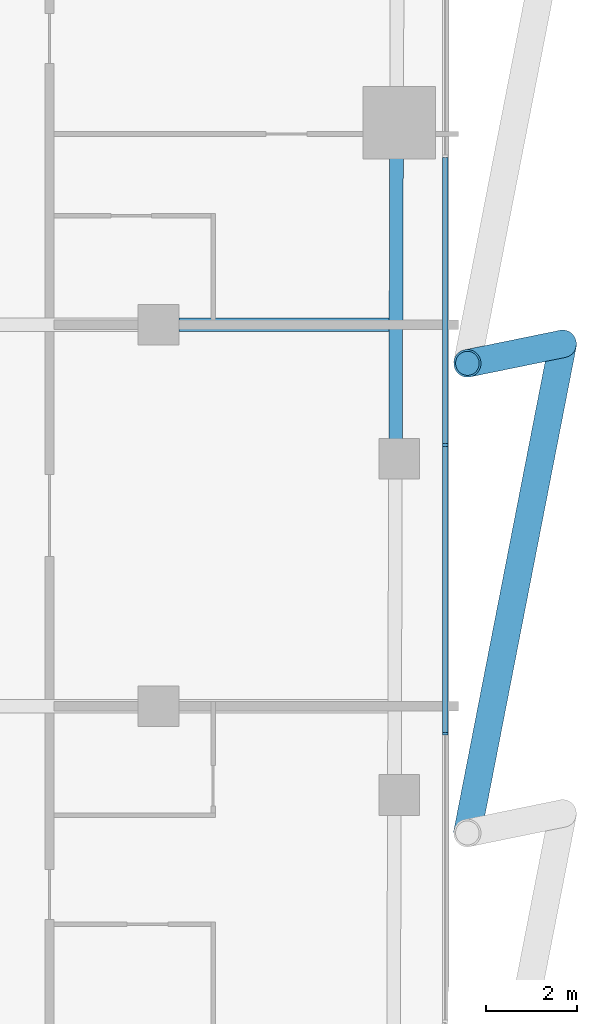
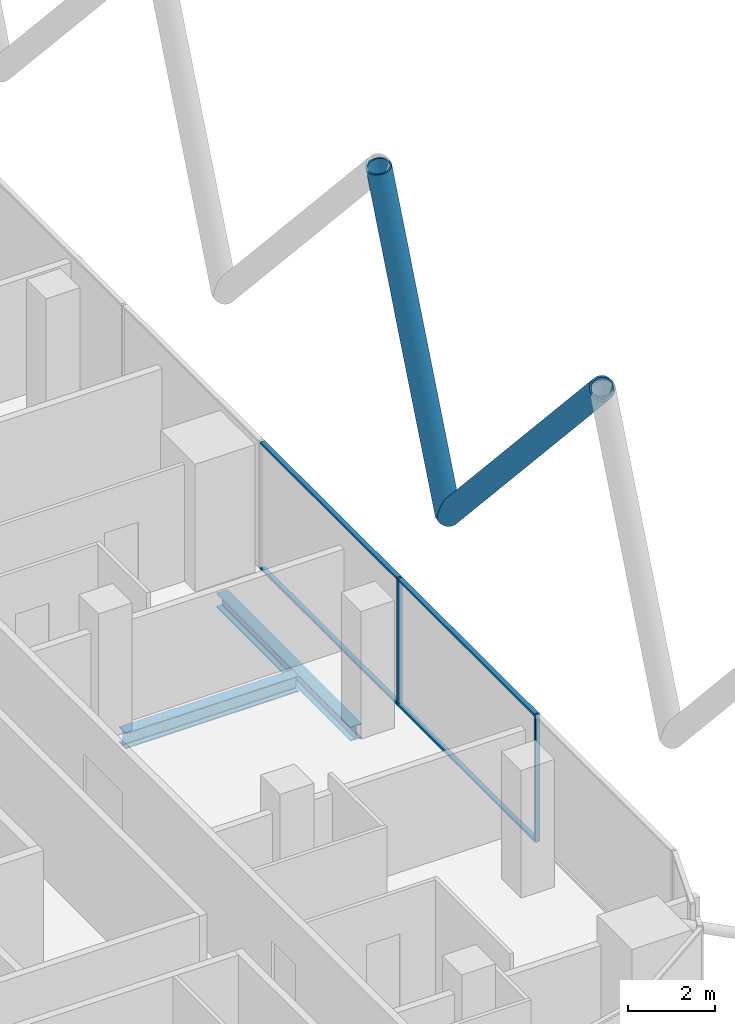
# One storey, part 9 of 34: 8 members, 2 beams, 1 element without a shape of its own.
"""IFC4 building model written with IfcOpenShell, lengths in metres."""

from ifc_helpers import new_model, si_unit, direction, frame, origin, origin_2d, place, context, subcontext, project, spatial, rectangle, hollow_circle, i_section, extrude, material, layer, layer_set, material_profile, profile_set, type_object, element, aggregate, save


model = new_model("IFC4")

# Units and contexts
model_context = context("Model", 3, precision=1e-05, world=origin(), true_north=direction((0.0, 1.0)))
body_context = subcontext(model_context, "Body", "Model", "MODEL_VIEW")
ifc_project = project(units=[si_unit("LENGTHUNIT", "METRE"), si_unit("AREAUNIT", "SQUARE_METRE"), si_unit("VOLUMEUNIT", "CUBIC_METRE"), si_unit("PLANEANGLEUNIT", "RADIAN"), si_unit("MASSUNIT", "GRAM", prefix="KILO")], contexts=[model_context])

# Site, building, storey
site_placement = place(None, origin())
site = spatial("IfcSite", under=ifc_project, at=site_placement, CompositionType="ELEMENT")
building_placement = place(site_placement, origin())
building = spatial("IfcBuilding", under=site, at=building_placement, Name="Marenta Gate Hotel Tower", CompositionType="ELEMENT")
storey_placement = place(building_placement, frame((0.0, 0.0, 166.10009765625)))
storey = spatial("IfcBuildingStorey", under=building, at=storey_placement, Name="L39", CompositionType="ELEMENT", Elevation=166.10009765625)

# Members
ifc_material_1 = material(Name="Steel S355J2W", Category="steel")
ifc_material_profile_1 = material_profile(ifc_material_1, hollow_circle(Radius=0.304931640625, WallThickness=0.0400390625, at=origin_2d()), Name="CHS 610x40")
ifc_profile_set_1 = profile_set([ifc_material_profile_1], Name="Steel S355J2W")
member_type_1 = type_object("IfcMemberType", Name="Diagrid diagonal T2 CHS 610x40", PredefinedType="BRACE", material=ifc_profile_set_1)
member_1_placement = place(storey_placement, frame((29.89990234375, -0.420166015625, 3.139892578125), z_axis=(-0.19071044896, -0.03904675045, 0.980869448977), x_axis=(0.200582587895, -0.979676796415, 0.0)))
element("IfcMember", 1, at=member_1_placement, inside=storey, type_object=member_type_1, Name="L39-DG-6", PredefinedType="BRACE", context=body_context, shape_type="SweptSolid", body=[
    extrude(hollow_circle(Radius=0.304931640625, WallThickness=0.0400390625, at=origin_2d()), origin(), (0.0, 0.0, 1.0), 11.0107421875),
])
member_2_placement = place(storey_placement, frame((29.89990234375, -0.420166015625, 3.139892578125), z_axis=(-0.136387552473, -0.699523368187, 0.701473800573), x_axis=(0.981518224839, -0.191368686853, 0.0)))
element("IfcMember", 2, at=member_2_placement, inside=storey, type_object=member_type_1, Name="L39-DG-7", PredefinedType="BRACE", context=body_context, shape_type="SweptSolid", body=[
    extrude(hollow_circle(Radius=0.304931640625, WallThickness=0.0400390625, at=origin_2d()), origin(), (0.0, 0.0, 1.0), 15.396240234375),
])

# Beams
ifc_material_2 = material(Name="Steel S355", Category="steel")
ifc_material_profile_2 = material_profile(ifc_material_2, i_section(OverallWidth=0.300048828125, OverallDepth=0.39990234375, WebThickness=0.013427734375, FlangeThickness=0.02392578125, FilletRadius=0.027099609375, at=origin_2d()), Name="HEB 400")
ifc_profile_set_2 = profile_set([ifc_material_profile_2], Name="Steel S355")
beam_type_1 = type_object("IfcBeamType", Name="Edge beam HEB 400", PredefinedType="SPANDREL", material=ifc_profile_set_2)
beam_1_placement = place(storey_placement, frame((26.2392578125, 3.68994140625, -0.460205078125), z_axis=(-0.003330441525, -0.999994454064, 0.0), x_axis=(0.999994454064, -0.003330441525, 0.0)))
element("IfcBeam", 3, at=beam_1_placement, inside=storey, type_object=beam_type_1, Name="L39-EB-25", PredefinedType="SPANDREL", context=body_context, shape_type="SweptSolid", body=[
    extrude(i_section(OverallWidth=0.300048828125, OverallDepth=0.39990234375, WebThickness=0.013427734375, FlangeThickness=0.02392578125, FilletRadius=0.027099609375, at=origin_2d()), origin(), (0.0, 0.0, 1.0), 6.23095703125),
])
ifc_material_3 = material(Name="Steel S355", Category="steel")
ifc_material_profile_3 = material_profile(ifc_material_3, i_section(OverallWidth=0.300048828125, OverallDepth=0.449951171875, WebThickness=0.013916015625, FlangeThickness=0.02587890625, FilletRadius=0.027099609375, at=origin_2d()), Name="HEB 450")
ifc_profile_set_3 = profile_set([ifc_material_profile_3], Name="Steel S355")
beam_type_2 = type_object("IfcBeamType", Name="Girder HEB 450", PredefinedType="BEAM", material=ifc_profile_set_3)
beam_2_placement = place(storey_placement, frame((21.449951171875, 0.0, -0.485107421875), z_axis=(1.0, 0.0, 0.0), x_axis=(0.0, 1.0, 0.0)))
element("IfcBeam", 4, at=beam_2_placement, inside=storey, type_object=beam_type_2, Name="L39-GD-19", PredefinedType="BEAM", context=body_context, shape_type="SweptSolid", body=[
    extrude(i_section(OverallWidth=0.300048828125, OverallDepth=0.449951171875, WebThickness=0.013916015625, FlangeThickness=0.02587890625, FilletRadius=0.027099609375, at=origin_2d()), origin(), (0.0, 0.0, 1.0), 4.626953125),
])

# Curtain wall, members
ifc_material_4 = material(Name="Tinted insulated glass in bronze anodised frame", Category="glass")
ifc_layer = layer(ifc_material_4, 0.1201171875)
ifc_layer_set = layer_set([ifc_layer], Name="Tinted insulated glass in bronze anodised frame")
curtain_wall_type = type_object("IfcCurtainWallType", Name="Tower unitised curtain wall CW1", PredefinedType="NOTDEFINED", material=ifc_layer_set)
curtain_wall_placement = place(storey_placement, origin())
curtain_wall = element("IfcCurtainWall", 5, at=curtain_wall_placement, inside=storey, type_object=curtain_wall_type, Name="CW1 run G19", PredefinedType="NOTDEFINED")
ifc_material_5 = material(Name="Bronze anodised aluminium", Category="aluminium")
ifc_material_profile_4 = material_profile(ifc_material_5, rectangle(XDim=0.1201171875, YDim=0.06005859375, at=origin_2d()), Name="Mullion CW1 60x120 bronze anodised aluminium")
ifc_profile_set_4 = profile_set([ifc_material_profile_4], Name="Bronze anodised aluminium")
member_type_2 = type_object("IfcMemberType", Name="Mullion CW1 60x120 bronze anodised aluminium", PredefinedType="MULLION", material=ifc_profile_set_4)
member_3_placement = place(storey_placement, frame((27.31396484375, -9.008056640625, 0.0), z_axis=(0.0, 0.0, 1.0), x_axis=(-1.0, 0.0, 0.0)))
member_3 = element("IfcMember", 6, at=member_3_placement, type_object=member_type_2, Name="CW1 mullion 2", PredefinedType="MULLION", context=body_context, shape_type="SweptSolid", body=[
    extrude(rectangle(XDim=0.1201171875, YDim=0.06005859375, at=origin_2d()), origin(), (0.0, 0.0, 1.0), 3.599853515625),
])
member_4_placement = place(storey_placement, frame((27.31396484375, -2.64794921875, 0.0), z_axis=(0.0, 0.0, 1.0), x_axis=(-1.0, 0.0, 0.0)))
member_4 = element("IfcMember", 7, at=member_4_placement, type_object=member_type_2, Name="CW1 mullion 3", PredefinedType="MULLION", context=body_context, shape_type="SweptSolid", body=[
    extrude(rectangle(XDim=0.1201171875, YDim=0.06005859375, at=origin_2d()), origin(), (0.0, 0.0, 1.0), 3.599853515625),
])
ifc_material_6 = material(Name="Bronze anodised aluminium", Category="aluminium")
ifc_material_profile_5 = material_profile(ifc_material_6, rectangle(XDim=0.1201171875, YDim=0.06005859375, at=origin_2d()), Name="Transom CW1 60x120 bronze anodised aluminium")
ifc_profile_set_5 = profile_set([ifc_material_profile_5], Name="Bronze anodised aluminium")
member_type_3 = type_object("IfcMemberType", Name="Transom CW1 60x120 bronze anodised aluminium", PredefinedType="USERDEFINED", material=ifc_profile_set_5)
member_5_placement = place(storey_placement, frame((27.31396484375, -8.97802734375, 0.02978515625), z_axis=(0.0, 1.0, 0.0), x_axis=(-1.0, 0.0, 0.0)))
member_5 = element("IfcMember", 8, at=member_5_placement, type_object=member_type_3, Name="CW1 transom 2.1", ObjectType="TRANSOM", PredefinedType="USERDEFINED", context=body_context, shape_type="SweptSolid", body=[
    extrude(rectangle(XDim=0.1201171875, YDim=0.06005859375, at=origin_2d()), origin(), (0.0, 0.0, 1.0), 6.300048828125),
])
member_6_placement = place(storey_placement, frame((27.31396484375, -8.97802734375, 3.56982421875), z_axis=(0.0, 1.0, 0.0), x_axis=(-1.0, 0.0, 0.0)))
member_6 = element("IfcMember", 9, at=member_6_placement, type_object=member_type_3, Name="CW1 transom 2.2", ObjectType="TRANSOM", PredefinedType="USERDEFINED", context=body_context, shape_type="SweptSolid", body=[
    extrude(rectangle(XDim=0.1201171875, YDim=0.06005859375, at=origin_2d()), origin(), (0.0, 0.0, 1.0), 6.300048828125),
])
member_7_placement = place(storey_placement, frame((27.31396484375, -2.617919921875, 0.02978515625), z_axis=(0.0, 1.0, 0.0), x_axis=(-1.0, 0.0, 0.0)))
member_7 = element("IfcMember", 10, at=member_7_placement, type_object=member_type_3, Name="CW1 transom 3.1", ObjectType="TRANSOM", PredefinedType="USERDEFINED", context=body_context, shape_type="SweptSolid", body=[
    extrude(rectangle(XDim=0.1201171875, YDim=0.06005859375, at=origin_2d()), origin(), (0.0, 0.0, 1.0), 6.2998046875),
])
member_8_placement = place(storey_placement, frame((27.31396484375, -2.617919921875, 3.56982421875), z_axis=(0.0, 1.0, 0.0), x_axis=(-1.0, 0.0, 0.0)))
member_8 = element("IfcMember", 11, at=member_8_placement, type_object=member_type_3, Name="CW1 transom 3.2", ObjectType="TRANSOM", PredefinedType="USERDEFINED", context=body_context, shape_type="SweptSolid", body=[
    extrude(rectangle(XDim=0.1201171875, YDim=0.06005859375, at=origin_2d()), origin(), (0.0, 0.0, 1.0), 6.2998046875),
])
aggregate(curtain_wall, [member_3, member_4, member_5, member_6, member_7, member_8])

save(model, "model.ifc")
